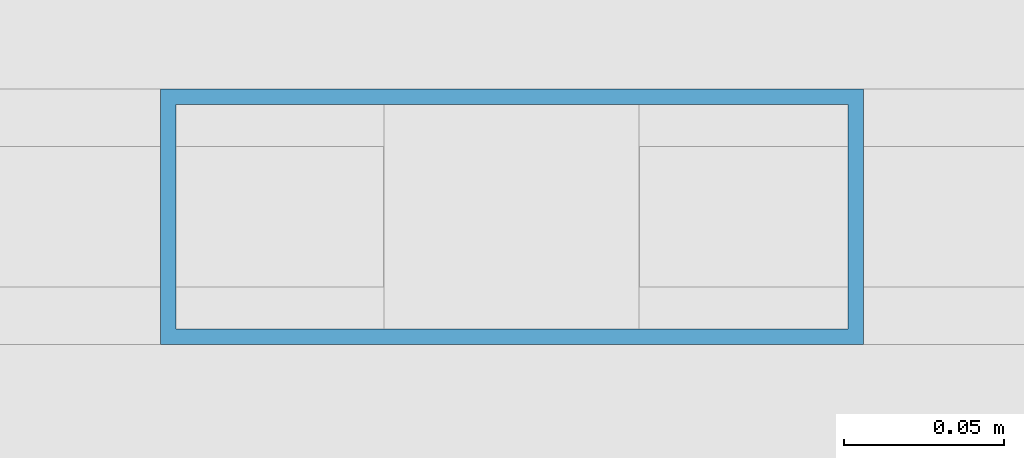
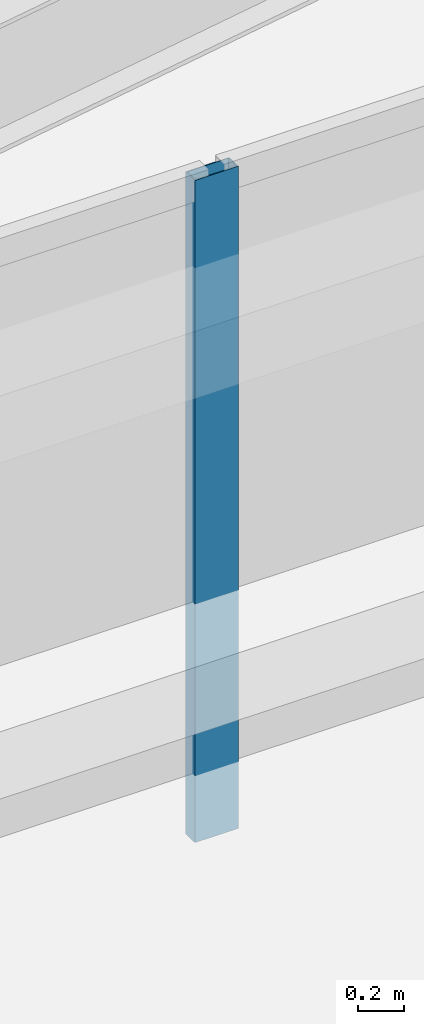
# One storey, part 12 of 67: 1 member, 1 element without a shape of its own.
"""IFC4 building model written with IfcOpenShell, lengths in metres."""

import ifcopenshell
import ifcopenshell.guid

model = None  # the IFC model being written
_history = None  # IfcOwnerHistory: only IFC2X3 demands one
_inside = {}  # id of a spatial element -> (the spatial element, [elements in it])
_under = {}  # id of a project, library or spatial element -> (it, [spatial elements below it])
_declared = {}  # id of a project -> (the project, [libraries it declares])
_typed = {}  # id of a type object -> (the type object, [elements of that type])
_made_of = {}  # id of a material, layer set ... -> (it, [elements and type objects made of it])


def new_model(schema):
    """Start an empty IFC model of exactly this schema.

    Asked for "IFC4X3", IfcOpenShell would pick the latest addendum, in which some entities
    have other attributes; the version numbers below select the first issue.
    IFC2X3 requires an IfcOwnerHistory on every rooted entity: one is made here for all.
    """
    global model, _history
    if schema == "IFC4X3":
        model = ifcopenshell.file(schema_version=(4, 3, 0, 0))
    else:
        model = ifcopenshell.file(schema=schema)
    _inside.clear()
    _under.clear()
    _declared.clear()
    _typed.clear()
    _made_of.clear()
    _history = None
    if model.schema == "IFC2X3":
        org = make("IfcOrganization", Name="unknown")
        user = make(
            "IfcPersonAndOrganization",
            ThePerson=make("IfcPerson", FamilyName="unknown"),
            TheOrganization=org,
        )
        app = make(
            "IfcApplication",
            ApplicationDeveloper=org,
            Version="unknown",
            ApplicationFullName="unknown",
            ApplicationIdentifier="unknown",
        )
        _history = make(
            "IfcOwnerHistory",
            OwningUser=user,
            OwningApplication=app,
            ChangeAction="ADDED",
            CreationDate=0,
        )
    return model


def make(cls, **values):
    """One entity of the class cls with the attributes given. An attribute that is None is left unset."""
    return model.create_entity(
        cls, **{name: value for name, value in values.items() if value is not None}
    )


def rooted(cls, **values):
    """An entity with a GlobalId (a new one), such as an element, a storey or a relation."""
    return make(cls, GlobalId=ifcopenshell.guid.new(), OwnerHistory=_history, **values)


def si_unit(unit_type, name, prefix=None):
    """IfcSIUnit, for example si_unit("LENGTHUNIT", "METRE", prefix="MILLI")."""
    return make("IfcSIUnit", UnitType=unit_type, Prefix=prefix, Name=name)


def assignment(units):
    """IfcUnitAssignment: the units of a project."""
    return None if units is None else make("IfcUnitAssignment", Units=units)


def point(xyz):
    """IfcCartesianPoint."""
    return None if xyz is None else make("IfcCartesianPoint", Coordinates=xyz)


def direction(xyz):
    """IfcDirection."""
    return None if xyz is None else make("IfcDirection", DirectionRatios=xyz)


def frame(location, z_axis=None, x_axis=None):
    """IfcAxis2Placement3D, a coordinate frame: its origin and axes. An axis left out is left unset."""
    return make(
        "IfcAxis2Placement3D",
        Location=point(location),
        Axis=direction(z_axis),
        RefDirection=direction(x_axis),
    )


def frame_2d(location, x_axis=None):
    """IfcAxis2Placement2D, a coordinate frame in the plane: its origin and x axis."""
    return make(
        "IfcAxis2Placement2D", Location=point(location), RefDirection=direction(x_axis)
    )


def origin():
    """The frame at (0, 0, 0) with its axes left unset."""
    return frame((0.0, 0.0, 0.0))


def origin_2d():
    """The frame at (0, 0) in the plane with its x axis left unset."""
    return frame_2d((0.0, 0.0))


def place(relative_to, where):
    """IfcLocalPlacement: puts the frame where relative to a parent placement (None: the world)."""
    return make(
        "IfcLocalPlacement", PlacementRelTo=relative_to, RelativePlacement=where
    )


def context(
    kind, dimensions, precision=None, world=None, true_north=None, identifier=None
):
    """IfcGeometricRepresentationContext, for example the 3D "Model" context."""
    return make(
        "IfcGeometricRepresentationContext",
        ContextIdentifier=identifier,
        ContextType=kind,
        CoordinateSpaceDimension=dimensions,
        Precision=precision,
        WorldCoordinateSystem=world,
        TrueNorth=true_north,
    )


def subcontext(parent, identifier, kind, view, scale=None):
    """IfcGeometricRepresentationSubContext, for example "Body" below "Model"."""
    return make(
        "IfcGeometricRepresentationSubContext",
        ContextIdentifier=identifier,
        ContextType=kind,
        ParentContext=parent,
        TargetScale=scale,
        TargetView=view,
    )


def project(units=None, contexts=None):
    """IfcProject with its units and contexts."""
    return rooted(
        "IfcProject",
        Name="project",
        RepresentationContexts=contexts,
        UnitsInContext=assignment(units),
    )


def spatial(cls, under=None, at=None, **own):
    """A site, building, storey or space (cls), placed at a placement, below another one or the project."""
    s = rooted(cls, ObjectPlacement=at, **own)
    if under is not None:
        _under.setdefault(under.id(), (under, []))[1].append(s)
    return s


def profile(cls, at=None, kind="AREA", **sizes):
    """A parametric profile (cls). Its sizes go by their IFC names, for example OverallWidth=200.0."""
    return make(cls, ProfileType=kind, Position=at, **sizes)


def hollow_rectangle(**sizes):
    """IfcRectangleHollowProfileDef."""
    return profile("IfcRectangleHollowProfileDef", **sizes)


def extrude(swept, where, along, depth):
    """IfcExtrudedAreaSolid: the profile swept, set in the frame where, extruded along a direction by depth."""
    return make(
        "IfcExtrudedAreaSolid",
        SweptArea=swept,
        Position=where,
        ExtrudedDirection=direction(along),
        Depth=depth,
    )


def shape(context_of_items, identifier, shape_type, items):
    """IfcShapeRepresentation: the items that make up one representation, for example the "Body"."""
    return make(
        "IfcShapeRepresentation",
        ContextOfItems=context_of_items,
        RepresentationIdentifier=identifier,
        RepresentationType=shape_type,
        Items=items,
    )


def material(Name=None, Category=None):
    """IfcMaterial."""
    return make("IfcMaterial", Name=Name, Category=Category)


def material_profile(
    of_material, cross_section, Name=None, Category=None, Priority=None
):
    """IfcMaterialProfile: a cross section and its material."""
    return make(
        "IfcMaterialProfile",
        Name=Name,
        Material=of_material,
        Profile=cross_section,
        Priority=Priority,
        Category=Category,
    )


def profile_set(profiles, Name=None, composite=None):
    """IfcMaterialProfileSet."""
    return make(
        "IfcMaterialProfileSet",
        Name=Name,
        MaterialProfiles=profiles,
        CompositeProfile=composite,
    )


def made_of(thing, what):
    """Note that an element or type object is made of a material, layer set ...; save() writes the relation."""
    if what is not None:
        _made_of.setdefault(what.id(), (what, []))[1].append(thing)
    return thing


def type_object(cls, material=None, **own):
    """A type object (cls), such as IfcWallType, which elements share."""
    return made_of(rooted(cls, **own), material)


def element(
    cls,
    number,
    at=None,
    inside=None,
    cuts=None,
    type_object=None,
    material=None,
    context=None,
    identifier="Body",
    shape_type=None,
    held_by="IfcProductDefinitionShape",
    body=None,
    shapes=None,
    **own,
):
    """One element of the class cls, such as IfcWall. Its Tag is "e" and its number.

    at: its placement. inside: the storey or other place that contains it. cuts: it is an
    opening in that element (IfcRelVoidsElement). A single representation is given by context,
    identifier, shape_type and body (its items); several are given by shapes. held_by: the class
    of the entity that holds the representations. save() writes the other relations.
    """
    e = rooted(cls, Tag="e%d" % number, ObjectPlacement=at, **own)
    if body is not None:
        shapes = [shape(context, identifier, shape_type, body)]
    if shapes is not None:
        e.Representation = make(held_by, Representations=shapes)
    if inside is not None:
        _inside.setdefault(inside.id(), (inside, []))[1].append(e)
    if cuts is not None:
        rooted(
            "IfcRelVoidsElement", RelatingBuildingElement=cuts, RelatedOpeningElement=e
        )
    if type_object is not None:
        _typed.setdefault(type_object.id(), (type_object, []))[1].append(e)
    return made_of(e, material)


def aggregate(whole, parts):
    """IfcRelAggregates: a whole, such as a stair, and the parts it consists of."""
    return rooted("IfcRelAggregates", RelatingObject=whole, RelatedObjects=parts)


def save(model, path):
    """Write the relations noted so far, then the file.

    IfcRelAggregates (storeys below a building ...), IfcRelContainedInSpatialStructure (elements
    in a storey), IfcRelDefinesByType, IfcRelAssociatesMaterial and IfcRelDeclares: one each for
    every whole, place, type object, material and project.
    """
    for whole, parts in _under.values():
        aggregate(whole, parts)
    for where, things in _inside.values():
        rooted(
            "IfcRelContainedInSpatialStructure",
            RelatedElements=things,
            RelatingStructure=where,
        )
    for kind, things in _typed.values():
        rooted("IfcRelDefinesByType", RelatedObjects=things, RelatingType=kind)
    for what, things in _made_of.values():
        rooted("IfcRelAssociatesMaterial", RelatedObjects=things, RelatingMaterial=what)
    for by, libraries in _declared.values():
        rooted("IfcRelDeclares", RelatingContext=by, RelatedDefinitions=libraries)
    model.write(path)


model = new_model("IFC4")

# Units and contexts
model_context = context("Model", 3, precision=1e-05, world=origin(), true_north=direction((0.0, 1.0)))
body_context = subcontext(model_context, "Body", "Model", "MODEL_VIEW")
ifc_project = project(units=[si_unit("LENGTHUNIT", "METRE"), si_unit("AREAUNIT", "SQUARE_METRE"), si_unit("VOLUMEUNIT", "CUBIC_METRE"), si_unit("PLANEANGLEUNIT", "RADIAN"), si_unit("MASSUNIT", "GRAM", prefix="KILO")], contexts=[model_context])

# Site, building, storey
site_placement = place(None, origin())
site = spatial("IfcSite", under=ifc_project, at=site_placement, CompositionType="ELEMENT")
building_placement = place(site_placement, origin())
building = spatial("IfcBuilding", under=site, at=building_placement, Name="Tashvorn Skyway Center", CompositionType="ELEMENT")
storey_placement = place(building_placement, frame((0.0, 0.0, 67.199951171875)))
storey = spatial("IfcBuildingStorey", under=building, at=storey_placement, Name="L17", CompositionType="ELEMENT", Elevation=67.199951171875)

# Curtain wall, member
ifc_material = material(Name="Thermally broken bronze-anodized aluminium 6063-T6", Category="aluminium")
curtain_wall_type = type_object("IfcCurtainWallType", Name="CW-CW-Z2", PredefinedType="NOTDEFINED", material=ifc_material)
curtain_wall_placement = place(storey_placement, origin())
curtain_wall = element("IfcCurtainWall", 1, at=curtain_wall_placement, inside=storey, type_object=curtain_wall_type, Name="Tower 1 L17 South Unitised Curtain Wall Glazing Group 1", PredefinedType="NOTDEFINED")
ifc_material_profile = material_profile(ifc_material, hollow_rectangle(XDim=0.080078125, YDim=0.219970703125, WallThickness=0.0048828125, at=origin_2d()), Name="ALU-MULL-80x220")
ifc_profile_set = profile_set([ifc_material_profile], Name="Thermally broken bronze-anodized aluminium 6063-T6")
member_type = type_object("IfcMemberType", Name="CWM-CW-Z2", PredefinedType="MULLION", material=ifc_profile_set)
member_placement = place(storey_placement, frame((54.1201171875, 11.02001953125, 0.0), z_axis=(0.0, 0.0, 1.0), x_axis=(0.0, -1.0, 0.0)))
member = element("IfcMember", 2, at=member_placement, type_object=member_type, Name="CW-Z2 mullion 2", PredefinedType="MULLION", context=body_context, shape_type="SweptSolid", body=[
    extrude(hollow_rectangle(XDim=0.080078125, YDim=0.219970703125, WallThickness=0.0048828125, at=origin_2d()), origin(), (0.0, 0.0, 1.0), 3.550048828125),
])
aggregate(curtain_wall, [member])

save(model, "model.ifc")
